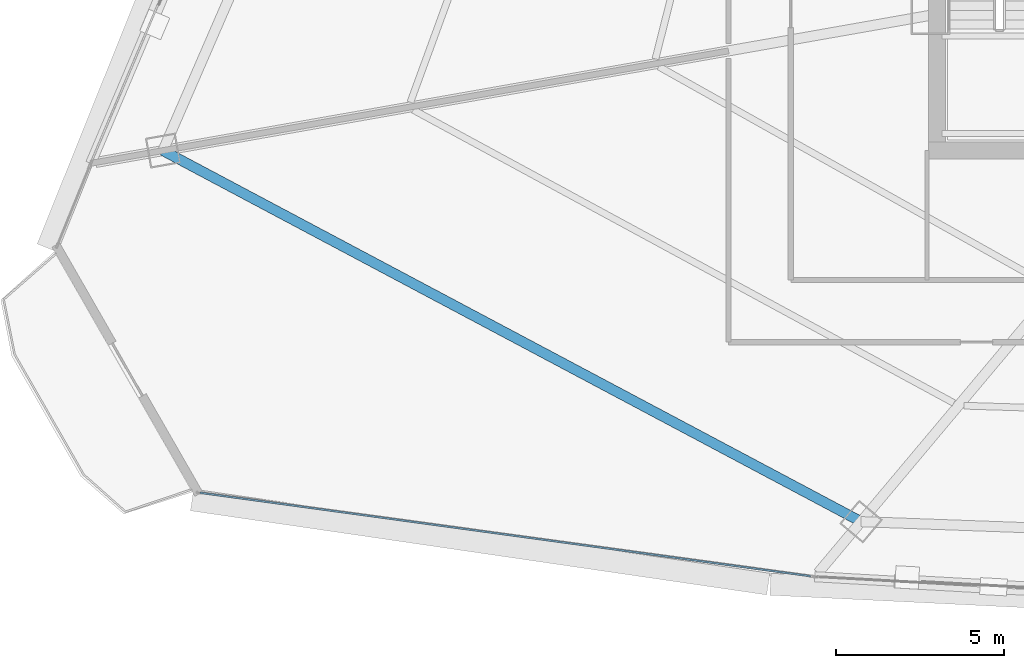
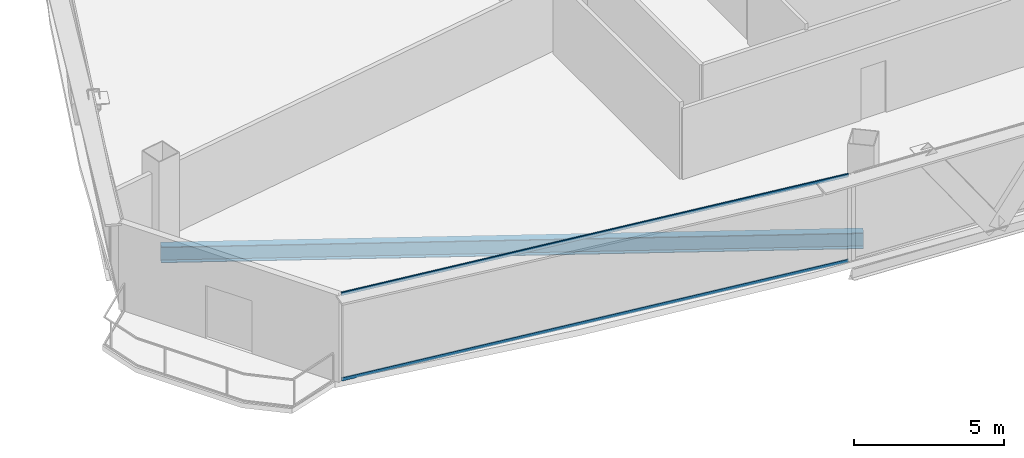
# One storey, part 3 of 37: 2 members, 1 beam, 1 element without a shape of its own.
"""IFC4 building model written with IfcOpenShell, lengths in metres."""

from ifc_helpers import new_model, si_unit, direction, frame, origin, origin_2d, place, context, subcontext, project, spatial, hollow_rectangle, i_section, extrude, source, transform, mapped, material, layer, layer_set, material_profile, profile_set, type_object, element, aggregate, save


model = new_model("IFC4")

# Units and contexts
model_context = context("Model", 3, precision=1e-05, world=origin(), true_north=direction((0.0, 1.0)))
body_context = subcontext(model_context, "Body", "Model", "MODEL_VIEW")
ifc_project = project(units=[si_unit("LENGTHUNIT", "METRE"), si_unit("AREAUNIT", "SQUARE_METRE"), si_unit("VOLUMEUNIT", "CUBIC_METRE"), si_unit("PLANEANGLEUNIT", "RADIAN"), si_unit("MASSUNIT", "GRAM", prefix="KILO"), si_unit("THERMODYNAMICTEMPERATUREUNIT", "KELVIN"), si_unit("POWERUNIT", "WATT")], contexts=[model_context])

# Site, building, storey
site_placement = place(None, origin())
site = spatial("IfcSite", under=ifc_project, at=site_placement, CompositionType="ELEMENT")
building_placement = place(site_placement, origin())
building = spatial("IfcBuilding", under=site, at=building_placement, Name="Yunzhuo Pagoda Commons", CompositionType="ELEMENT")
storey_placement = place(building_placement, frame((0.0, 0.0, 199.9599609375)))
storey = spatial("IfcBuildingStorey", under=building, at=storey_placement, Name="L50", CompositionType="ELEMENT", Elevation=199.9599609375)

# Beam
ifc_material_1 = material(Name="Structural steel Q355B", Category="steel")
ifc_material_profile_1 = material_profile(ifc_material_1, i_section(OverallWidth=0.300048828125, OverallDepth=0.64990234375, WebThickness=0.012939453125, FlangeThickness=0.02197265625, at=origin_2d()), Name="Structural steel Q355B")
ifc_profile_set_1 = profile_set([ifc_material_profile_1], Name="Structural steel Q355B")
beam_type = type_object("IfcBeamType", Name="B-RG2 Beam HN 650x300x13x22", PredefinedType="BEAM", material=ifc_profile_set_1)
shared_shape_1 = source(origin(), body_context, "Body", "SweptSolid", [
    extrude(i_section(OverallWidth=0.300048828125, OverallDepth=0.64990234375, WebThickness=0.012939453125, FlangeThickness=0.02197265625, at=origin_2d()), origin(), (0.0, 0.0, 1.0), 23.49365234375),
])
beam_placement = place(storey_placement, frame((12.79345703125, 27.492431640625, -0.5849609375), z_axis=(0.883016269865, -0.469342377325, 0.0), x_axis=(0.469342377325, 0.883016269865, 0.0)))
element("IfcBeam", 1, at=beam_placement, inside=storey, type_object=beam_type, Name="L50 column-ring beam 12", PredefinedType="BEAM", context=body_context, shape_type="MappedRepresentation", body=[
    mapped(shared_shape_1, transform((0.0, 0.0, 0.0), scale=1.0)),
])

# Curtain wall, members
ifc_material_2 = material(Name="Anodized aluminium 6063-T6", Category="aluminium")
ifc_layer = layer(ifc_material_2, 0.14990234375)
ifc_layer_set = layer_set([ifc_layer], Name="Anodized aluminium 6063-T6")
curtain_wall_type = type_object("IfcCurtainWallType", Name="CW-MID Mid-Zone Ribbon Curtain Wall", PredefinedType="NOTDEFINED", material=ifc_layer_set)
curtain_wall_placement = place(storey_placement, origin())
curtain_wall = element("IfcCurtainWall", 2, at=curtain_wall_placement, inside=storey, type_object=curtain_wall_type, Name="L50 curtain wall CW-L50-F1B1", PredefinedType="NOTDEFINED")
ifc_material_profile_2 = material_profile(ifc_material_2, hollow_rectangle(XDim=0.054931640625, YDim=0.1298828125, WallThickness=0.00341796875, at=origin_2d()), Name="Anodized aluminium 6063-T6")
ifc_profile_set_2 = profile_set([ifc_material_profile_2], Name="Anodized aluminium 6063-T6")
member_type = type_object("IfcMemberType", Name="CW-MID-T Transom RHS 130x55x3.5", PredefinedType="USERDEFINED", material=ifc_profile_set_2)
shared_shape_2 = source(origin(), body_context, "Body", "SweptSolid", [
    extrude(hollow_rectangle(XDim=0.054931640625, YDim=0.1298828125, WallThickness=0.00341796875, at=origin_2d()), origin(), (0.0, 0.0, 1.0), 18.307861328125),
])
member_1_placement = place(storey_placement, frame((13.89208984375, 17.324462890625, 0.027587890625), z_axis=(0.990802800825, -0.13531374608, 0.0), x_axis=(0.13531374608, 0.990802800825, 0.0)))
member_1 = element("IfcMember", 3, at=member_1_placement, type_object=member_type, Name="CW transom 1.1", ObjectType="TRANSOM", PredefinedType="USERDEFINED", context=body_context, shape_type="MappedRepresentation", body=[
    mapped(shared_shape_2, transform((0.0, 0.0, 0.0), scale=1.0)),
])
member_2_placement = place(storey_placement, frame((13.89208984375, 17.324462890625, 3.512451171875), z_axis=(0.990802800825, -0.13531374608, 0.0), x_axis=(0.13531374608, 0.990802800825, 0.0)))
member_2 = element("IfcMember", 4, at=member_2_placement, type_object=member_type, Name="CW transom 1.2", ObjectType="TRANSOM", PredefinedType="USERDEFINED", context=body_context, shape_type="MappedRepresentation", body=[
    mapped(shared_shape_2, transform((0.0, 0.0, 0.0), scale=1.0)),
])
aggregate(curtain_wall, [member_1, member_2])

save(model, "model.ifc")
